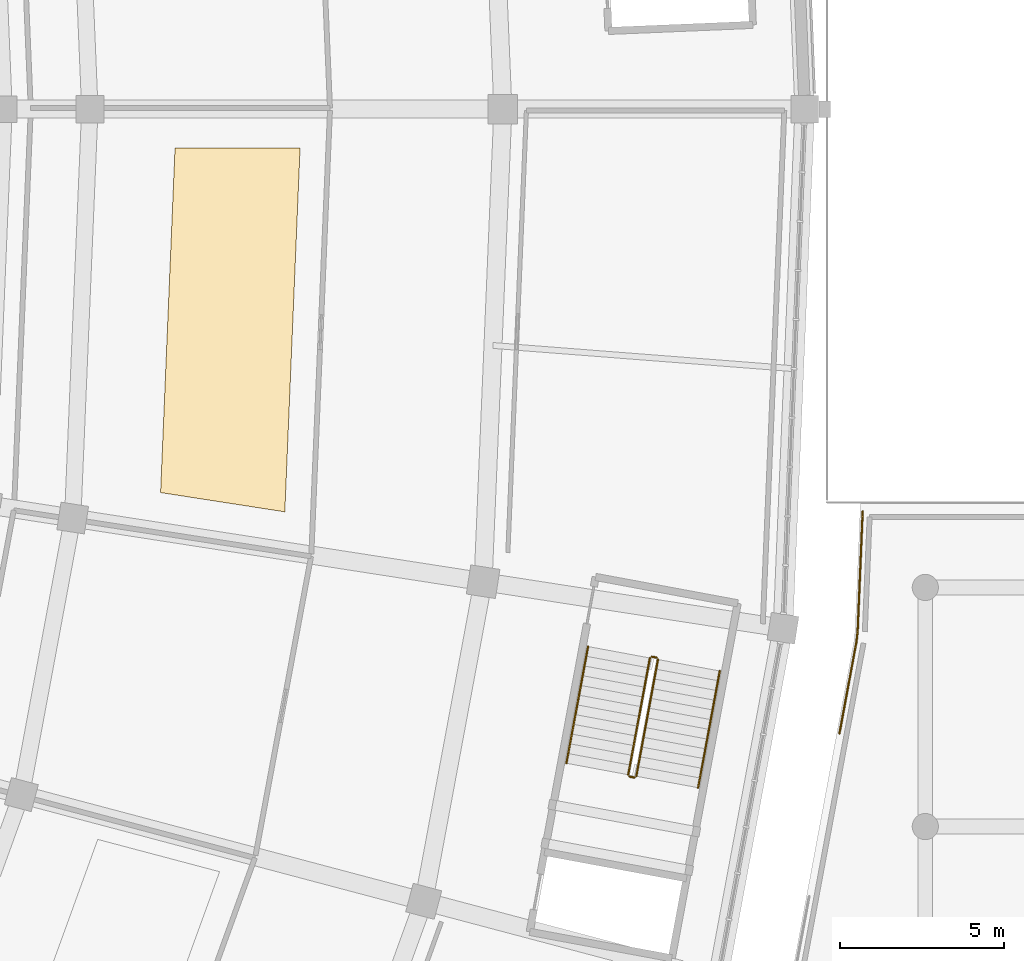
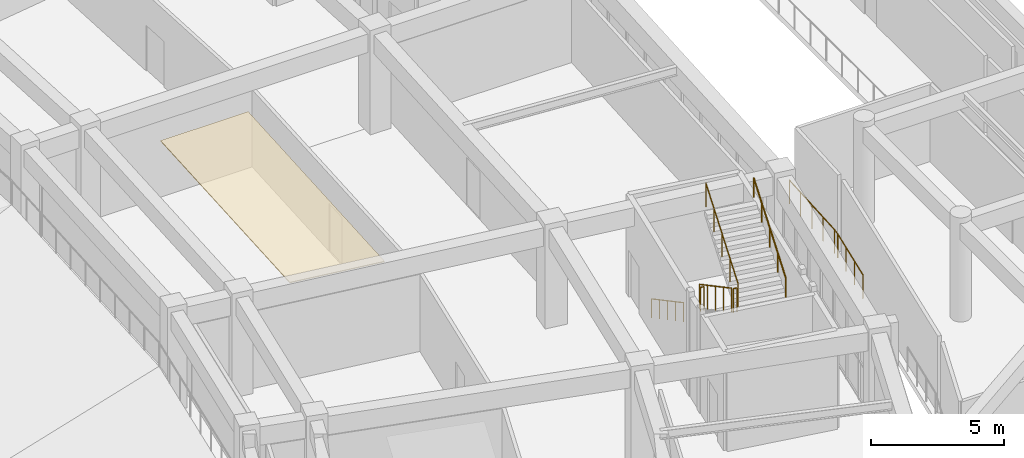
# One storey, part 139 of 152: 7 railings, 1 covering.
"""IFC4 building model written with IfcOpenShell, lengths in metres."""

from ifc_helpers import new_model, si_unit, direction, frame, origin, origin_2d, place, context, subcontext, project, spatial, polyline, circle, outline, extrude, material, layer, layer_set, type_object, element, save


model = new_model("IFC4")

# Units and contexts
model_context = context("Model", 3, precision=1e-05, world=origin(), true_north=direction((0.0, 1.0)))
body_context = subcontext(model_context, "Body", "Model", "MODEL_VIEW")
ifc_project = project(units=[si_unit("LENGTHUNIT", "METRE"), si_unit("AREAUNIT", "SQUARE_METRE"), si_unit("VOLUMEUNIT", "CUBIC_METRE"), si_unit("PLANEANGLEUNIT", "RADIAN"), si_unit("MASSUNIT", "GRAM", prefix="KILO")], contexts=[model_context])

# Site, building, storey
site_placement = place(None, origin())
site = spatial("IfcSite", under=ifc_project, at=site_placement, CompositionType="ELEMENT")
building_placement = place(site_placement, origin())
building = spatial("IfcBuilding", under=site, at=building_placement, Name="Mphavela Belvedere Stadium", CompositionType="ELEMENT")
storey_placement = place(building_placement, frame((0.0, 0.0, 5.39990234375)))
storey = spatial("IfcBuildingStorey", under=building, at=storey_placement, Name="L01", CompositionType="ELEMENT", Elevation=5.39990234375)

# Covering
ifc_material_1 = material(Name="Perforated acoustic mineral ceiling tile")
ifc_layer = layer(ifc_material_1, 0.0400390625)
ifc_layer_set = layer_set([ifc_layer], Name="Perforated acoustic mineral ceiling tile")
covering_type = type_object("IfcCoveringType", Name="COV-CEILING-ACOUSTIC", PredefinedType="CEILING", material=ifc_layer_set)
covering_placement = place(storey_placement, frame((0.0, 0.0, 3.5)))
element("IfcCovering", 1, at=covering_placement, inside=storey, type_object=covering_type, Name="Concourse acoustic ceiling L01-48", PredefinedType="CEILING", context=body_context, shape_type="SweptSolid", body=[
    extrude(outline(polyline([(198.154296875, 75.29638671875), (198.59521484375, 85.8134765625), (202.4130859375, 85.8134765625), (201.947509765625, 74.708251953125), (198.154296875, 75.29638671875)])), origin(), (0.0, 0.0, 1.0), 0.0400390625),
])

# Railings
ifc_material_2 = material(Name="Bronze and laminated glass stadium balustrade", Category="glass")
railing_type_1 = type_object("IfcRailingType", Name="RAL-BALUSTRADE-1120", PredefinedType="BALUSTRADE", material=ifc_material_2)
railing_1_placement = place(storey_placement, frame((218.87841796875, 67.946533203125, 0.0)))
element("IfcRailing", 2, at=railing_1_placement, inside=storey, type_object=railing_type_1, Name="Peristyle wing gallery edge balustrade L01-61", PredefinedType="BALUSTRADE", context=body_context, shape_type="SweptSolid", body=[
    extrude(circle(Radius=0.02392578125, at=origin_2d()), frame((0.0, 0.0, 1.09619140625), z_axis=(0.182689544832, 0.983170651621, 0.0), x_axis=(-0.983170651621, 0.182689544832, 0.0)), (0.0, 0.0, 1.0), 2.83984375),
    extrude(circle(Radius=0.02392578125, at=origin_2d()), frame((0.518798828125, 2.7919921875, 1.09619140625), z_axis=(0.113134174083, 0.993579719325, 0.0), x_axis=(-0.993579719325, 0.113134174083, 0.0)), (0.0, 0.0, 1.0), 0.317138671875),
    extrude(circle(Radius=0.02392578125, at=origin_2d()), frame((0.5546875, 3.107177734375, 1.09619140625), z_axis=(0.041915584211, 0.999121155716, 0.0), x_axis=(-0.999121155716, 0.041915584211, 0.0)), (0.0, 0.0, 1.0), 3.66943359375),
    extrude(circle(Radius=0.02099609375, at=origin_2d()), origin(), (0.0, 0.0, 1.0), 1.072021484375),
    extrude(circle(Radius=0.02099609375, at=origin_2d()), frame((0.1728515625, 0.9306640625, 0.0)), (0.0, 0.0, 1.0), 1.072021484375),
    extrude(circle(Radius=0.02099609375, at=origin_2d()), frame((0.345947265625, 1.861328125, 0.0)), (0.0, 0.0, 1.0), 1.072021484375),
    extrude(circle(Radius=0.02099609375, at=origin_2d()), frame((0.518798828125, 2.7919921875, 0.0)), (0.0, 0.0, 1.0), 1.072021484375),
    extrude(circle(Radius=0.02099609375, at=origin_2d()), frame((0.5546875, 3.107177734375, 0.0)), (0.0, 0.0, 1.0), 1.072021484375),
    extrude(circle(Radius=0.02099609375, at=origin_2d()), frame((0.59326171875, 4.023681640625, 0.0)), (0.0, 0.0, 1.0), 1.072021484375),
    extrude(circle(Radius=0.02099609375, at=origin_2d()), frame((0.631591796875, 4.9404296875, 0.0)), (0.0, 0.0, 1.0), 1.072021484375),
    extrude(circle(Radius=0.02099609375, at=origin_2d()), frame((0.669921875, 5.85693359375, 0.0)), (0.0, 0.0, 1.0), 1.072021484375),
    extrude(circle(Radius=0.02099609375, at=origin_2d()), frame((0.70849609375, 6.7734375, 0.0)), (0.0, 0.0, 1.0), 1.072021484375),
])
ifc_material_3 = material(Name="Painted galvanised steel stair guardrail", Category="steel")
railing_type_2 = type_object("IfcRailingType", Name="RAL-GUARD-1120", PredefinedType="GUARDRAIL", material=ifc_material_3)
railing_2_placement = place(storey_placement, frame((213.092041015625, 70.24609375, 0.184814453125)))
element("IfcRailing", 3, at=railing_2_placement, inside=storey, type_object=railing_type_2, Name="L01 ST-C12 stair guard 1", PredefinedType="GUARDRAIL", context=body_context, shape_type="SweptSolid", body=[
    extrude(circle(Radius=0.02392578125, at=origin_2d()), frame((0.0, 0.0, 1.09619140625), z_axis=(-0.155771203994, -0.838865295602, 0.521574872708), x_axis=(0.983192536952, -0.182571726404, 0.0)), (0.0, 0.0, 1.0), 4.247314453125),
    extrude(circle(Radius=0.02099609375, at=origin_2d()), origin(), (0.0, 0.0, 1.0), 1.072021484375),
    extrude(circle(Radius=0.02099609375, at=origin_2d()), frame((-0.16552734375, -0.890625, 0.5537109375)), (0.0, 0.0, 1.0), 1.072021484375),
    extrude(circle(Radius=0.02099609375, at=origin_2d()), frame((-0.330810546875, -1.781494140625, 1.107666015625)), (0.0, 0.0, 1.0), 1.072021484375),
    extrude(circle(Radius=0.02099609375, at=origin_2d()), frame((-0.49609375, -2.67236328125, 1.66162109375)), (0.0, 0.0, 1.0), 1.072021484375),
    extrude(circle(Radius=0.02099609375, at=origin_2d()), frame((-0.66162109375, -3.56298828125, 2.21533203125)), (0.0, 0.0, 1.0), 1.072021484375),
])
railing_3_placement = place(storey_placement, frame((212.470458984375, 66.624755859375, 2.400146484375)))
element("IfcRailing", 4, at=railing_3_placement, inside=storey, type_object=railing_type_2, Name="L01 ST-C12 stair guard 2", PredefinedType="GUARDRAIL", context=body_context, shape_type="SweptSolid", body=[
    extrude(circle(Radius=0.02392578125, at=origin_2d()), frame((0.0, 0.0, 1.09619140625), z_axis=(0.983238797529, -0.182322426032, 0.0), x_axis=(0.182322426032, 0.983238797529, 0.0)), (0.0, 0.0, 1.0), 0.14990234375),
    extrude(circle(Radius=0.02099609375, at=origin_2d()), origin(), (0.0, 0.0, 1.0), 1.072021484375),
    extrude(circle(Radius=0.02099609375, at=origin_2d()), frame((0.1474609375, -0.02734375, 0.0)), (0.0, 0.0, 1.0), 1.072021484375),
])
railing_4_placement = place(storey_placement, frame((212.67626953125, 66.637451171875, 2.584716796875)))
element("IfcRailing", 5, at=railing_4_placement, inside=storey, type_object=railing_type_2, Name="L01 ST-C12 stair guard 3", PredefinedType="GUARDRAIL", context=body_context, shape_type="SweptSolid", body=[
    extrude(circle(Radius=0.02392578125, at=origin_2d()), frame((0.0, 0.0, 1.09619140625), z_axis=(0.155771203994, 0.838865295602, 0.521574872708), x_axis=(-0.983192536952, 0.182571726404, 0.0)), (0.0, 0.0, 1.0), 4.247314453125),
    extrude(circle(Radius=0.02099609375, at=origin_2d()), origin(), (0.0, 0.0, 1.0), 1.072021484375),
    extrude(circle(Radius=0.02099609375, at=origin_2d()), frame((0.16552734375, 0.890625, 0.5537109375)), (0.0, 0.0, 1.0), 1.072021484375),
    extrude(circle(Radius=0.02099609375, at=origin_2d()), frame((0.330810546875, 1.781494140625, 1.107666015625)), (0.0, 0.0, 1.0), 1.072021484375),
    extrude(circle(Radius=0.02099609375, at=origin_2d()), frame((0.49609375, 2.67236328125, 1.66162109375)), (0.0, 0.0, 1.0), 1.072021484375),
    extrude(circle(Radius=0.02099609375, at=origin_2d()), frame((0.66162109375, 3.56298828125, 2.21533203125)), (0.0, 0.0, 1.0), 1.072021484375),
])
railing_5_placement = place(storey_placement, frame((213.150390625, 70.2861328125, 0.0)))
element("IfcRailing", 6, at=railing_5_placement, inside=storey, type_object=railing_type_2, Name="L01 ST-C12 stair guard 4", PredefinedType="GUARDRAIL", context=body_context, shape_type="SweptSolid", body=[
    extrude(circle(Radius=0.02392578125, at=origin_2d()), frame((0.0, 0.0, 1.09619140625), z_axis=(0.983238797529, -0.182322426032, 0.0), x_axis=(0.182322426032, 0.983238797529, 0.0)), (0.0, 0.0, 1.0), 0.14990234375),
    extrude(circle(Radius=0.02099609375, at=origin_2d()), origin(), (0.0, 0.0, 1.0), 1.072021484375),
    extrude(circle(Radius=0.02099609375, at=origin_2d()), frame((0.1474609375, -0.02734375, 0.0)), (0.0, 0.0, 1.0), 1.072021484375),
])
ifc_material_4 = material(Name="Brushed stainless steel tubular handrail", Category="steel")
railing_type_3 = type_object("IfcRailingType", Name="RAL-HANDRAIL-900", PredefinedType="HANDRAIL", material=ifc_material_4)
railing_6_placement = place(storey_placement, frame((211.204345703125, 70.5966796875, 0.184814453125)))
element("IfcRailing", 7, at=railing_6_placement, inside=storey, type_object=railing_type_3, Name="L01 ST-C12 stair handrail 1", PredefinedType="HANDRAIL", context=body_context, shape_type="SweptSolid", body=[
    extrude(circle(Radius=0.02392578125, at=origin_2d()), frame((0.0, 0.0, 0.8759765625), z_axis=(-0.155771203994, -0.838865295602, 0.521574872708), x_axis=(0.983192536952, -0.182571726404, 0.0)), (0.0, 0.0, 1.0), 4.247314453125),
    extrude(circle(Radius=0.02099609375, at=origin_2d()), origin(), (0.0, 0.0, 1.0), 0.851806640625),
    extrude(circle(Radius=0.02099609375, at=origin_2d()), frame((-0.16552734375, -0.890625, 0.5537109375)), (0.0, 0.0, 1.0), 0.851806640625),
    extrude(circle(Radius=0.02099609375, at=origin_2d()), frame((-0.330810546875, -1.781494140625, 1.107666015625)), (0.0, 0.0, 1.0), 0.851806640625),
    extrude(circle(Radius=0.02099609375, at=origin_2d()), frame((-0.49609375, -2.67236328125, 1.66162109375)), (0.0, 0.0, 1.0), 0.851806640625),
    extrude(circle(Radius=0.02099609375, at=origin_2d()), frame((-0.66162109375, -3.56298828125, 2.21533203125)), (0.0, 0.0, 1.0), 0.851806640625),
])
railing_7_placement = place(storey_placement, frame((214.56396484375, 66.286865234375, 2.584716796875)))
element("IfcRailing", 8, at=railing_7_placement, inside=storey, type_object=railing_type_3, Name="L01 ST-C12 stair handrail 2", PredefinedType="HANDRAIL", context=body_context, shape_type="SweptSolid", body=[
    extrude(circle(Radius=0.02392578125, at=origin_2d()), frame((0.0, 0.0, 0.8759765625), z_axis=(0.155763693288, 0.838882326027, 0.521549724315), x_axis=(-0.983194782323, 0.182559634128, 0.0)), (0.0, 0.0, 1.0), 4.24755859375),
    extrude(circle(Radius=0.02099609375, at=origin_2d()), origin(), (0.0, 0.0, 1.0), 0.851806640625),
    extrude(circle(Radius=0.02099609375, at=origin_2d()), frame((0.16552734375, 0.890869140625, 0.5537109375)), (0.0, 0.0, 1.0), 0.851806640625),
    extrude(circle(Radius=0.02099609375, at=origin_2d()), frame((0.330810546875, 1.78173828125, 1.107666015625)), (0.0, 0.0, 1.0), 0.851806640625),
    extrude(circle(Radius=0.02099609375, at=origin_2d()), frame((0.49609375, 2.67236328125, 1.66162109375)), (0.0, 0.0, 1.0), 0.851806640625),
    extrude(circle(Radius=0.02099609375, at=origin_2d()), frame((0.66162109375, 3.563232421875, 2.21533203125)), (0.0, 0.0, 1.0), 0.851806640625),
])

save(model, "model.ifc")
